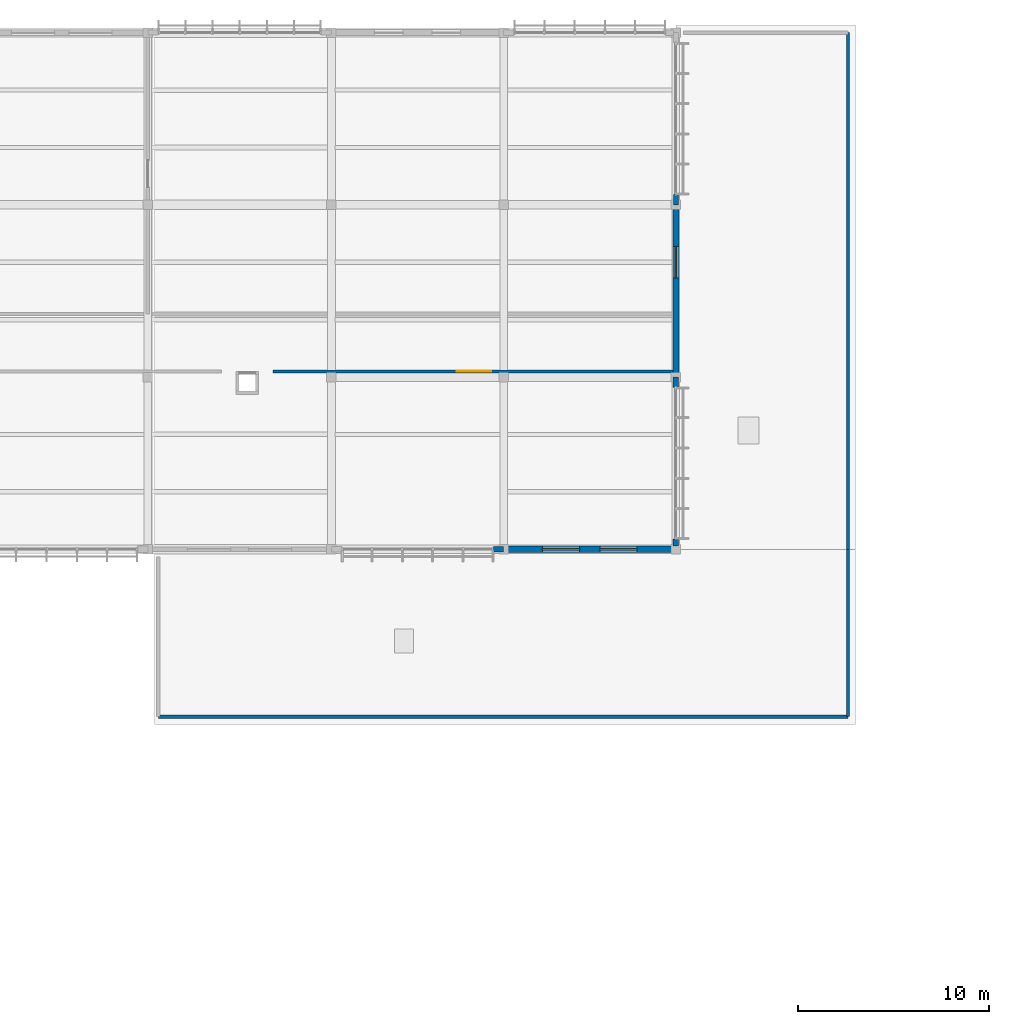
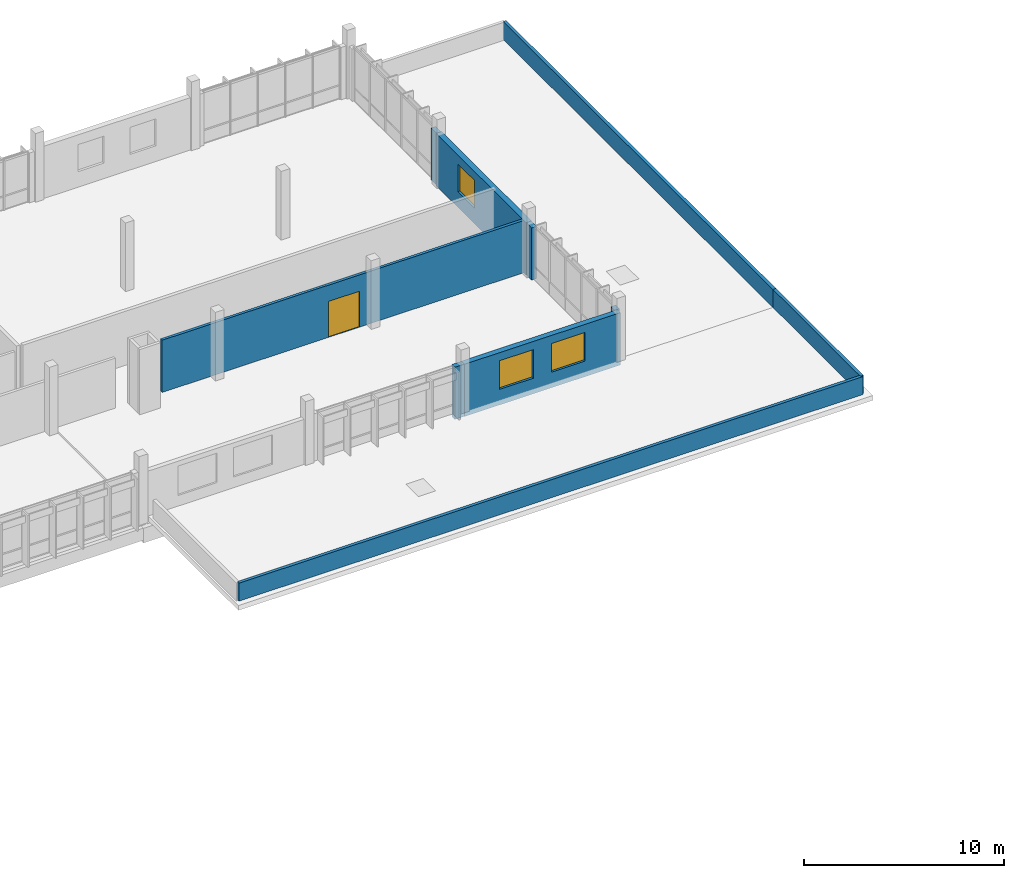
# One storey, part 98 of 107: 10 walls, 3 windows, 1 door, 4 openings.
"""IFC4 building model written with IfcOpenShell, lengths in metres."""

from ifc_helpers import new_model, si_unit, direction, frame, frame_2d, origin, place, context, subcontext, project, spatial, rectangle, extrude, material, layer, layer_set, type_object, element, fill, save


model = new_model("IFC4")

# Units and contexts
model_context = context("Model", 3, precision=1e-05, world=origin(), true_north=direction((0.0, 1.0)))
body_context = subcontext(model_context, "Body", "Model", "MODEL_VIEW")
ifc_project = project(units=[si_unit("LENGTHUNIT", "METRE"), si_unit("AREAUNIT", "SQUARE_METRE"), si_unit("VOLUMEUNIT", "CUBIC_METRE"), si_unit("PLANEANGLEUNIT", "RADIAN"), si_unit("MASSUNIT", "GRAM", prefix="KILO")], contexts=[model_context])

# Site, building, storey
site_placement = place(None, origin())
site = spatial("IfcSite", under=ifc_project, at=site_placement, CompositionType="ELEMENT")
building_placement = place(site_placement, origin())
building = spatial("IfcBuilding", under=site, at=building_placement, Name="Chiffa Square Polytechnic", CompositionType="ELEMENT")
storey_placement = place(building_placement, frame((0.0, 0.0, 13.800048828125)))
storey = spatial("IfcBuildingStorey", under=building, at=storey_placement, Name="L03", CompositionType="ELEMENT", Elevation=13.800048828125)

# Walls
ifc_material_1 = material(Name="Precast concrete C40/50", Category="concrete")
ifc_layer_1 = layer(ifc_material_1, 0.260009765625, Name="Precast concrete C40/50")
ifc_layer_set_1 = layer_set([ifc_layer_1], Name="Precast concrete C40/50")
wall_type_1 = type_object("IfcWallType", Name="WL-EXT-PC260", PredefinedType="SOLIDWALL", material=ifc_layer_set_1)
wall_1_placement = place(storey_placement, frame((139.199951171875, 121.800048828125, 0.0), z_axis=(0.0, 0.0, 1.0), x_axis=(0.0, 1.0, 0.0)))
element("IfcWall", 1, at=wall_1_placement, inside=storey, type_object=wall_type_1, Name="Facade column pier V5-L03-0342L", PredefinedType="SOLIDWALL", context=body_context, shape_type="SweptSolid", body=[
    extrude(rectangle(XDim=0.5400390625, YDim=0.260009765625, at=frame_2d((0.27001953125, 0.0))), origin(), (0.0, 0.0, 1.0), 3.195068359375),
])
ifc_layer_2 = layer(ifc_material_1, 0.280029296875, Name="Precast concrete C40/50")
ifc_layer_set_2 = layer_set([ifc_layer_2], Name="Precast concrete C40/50")
wall_type_2 = type_object("IfcWallType", Name="WL-EXT-PC280", PredefinedType="SOLIDWALL", material=ifc_layer_set_2)
wall_2_placement = place(storey_placement, frame((129.659912109375, 103.800048828125, 0.0), z_axis=(0.0, 0.0, 1.0), x_axis=(1.0, 0.0, 0.0)))
element("IfcWall", 2, at=wall_2_placement, inside=storey, type_object=wall_type_2, Name="Facade column pier V5-L03-0338R", PredefinedType="SOLIDWALL", context=body_context, shape_type="SweptSolid", body=[
    extrude(rectangle(XDim=0.5400390625, YDim=0.280029296875, at=frame_2d((0.27001953125, 0.0))), origin(), (0.0, 0.0, 1.0), 3.195068359375),
])
wall_3_placement = place(storey_placement, frame((139.199951171875, 103.9619140625, 0.0), z_axis=(0.0, 0.0, 1.0), x_axis=(0.0, 1.0, 0.0)))
element("IfcWall", 3, at=wall_3_placement, inside=storey, type_object=wall_type_2, Name="Facade column pier V5-L03-0340L", PredefinedType="SOLIDWALL", context=body_context, shape_type="SweptSolid", body=[
    extrude(rectangle(XDim=0.378173828125, YDim=0.280029296875, at=frame_2d((0.18896484375, 0.0))), origin(), (0.0, 0.0, 1.0), 3.195068359375),
])
wall_4_placement = place(storey_placement, frame((139.199951171875, 112.260009765625, 0.0), z_axis=(0.0, 0.0, 1.0), x_axis=(0.0, 1.0, 0.0)))
element("IfcWall", 4, at=wall_4_placement, inside=storey, type_object=wall_type_2, Name="Facade column pier V5-L03-0340R", PredefinedType="SOLIDWALL", context=body_context, shape_type="SweptSolid", body=[
    extrude(rectangle(XDim=0.5400390625, YDim=0.280029296875, at=frame_2d((0.27001953125, 0.0))), origin(), (0.0, 0.0, 1.0), 3.195068359375),
])

# Wall, openings, windows
ifc_layer_3 = layer(ifc_material_1, 0.320068359375, Name="Precast concrete C40/50")
ifc_layer_set_3 = layer_set([ifc_layer_3], Name="Precast concrete C40/50")
wall_type_3 = type_object("IfcWallType", Name="WL-EXT-PC320", PredefinedType="SOLIDWALL", material=ifc_layer_set_3)
wall_5_placement = place(storey_placement, frame((130.199951171875, 103.800048828125, 0.0), z_axis=(0.0, 0.0, 1.0), x_axis=(1.0, 0.0, 0.0)))
wall_5 = element("IfcWall", 5, at=wall_5_placement, inside=storey, type_object=wall_type_3, Name="Exterior wall WE-V5-L03-0339", PredefinedType="SOLIDWALL", context=body_context, shape_type="SweptSolid", body=[
    extrude(rectangle(XDim=9.0, YDim=0.320068359375, at=frame_2d((4.5, 0.0))), origin(), (0.0, 0.0, 1.0), 3.195068359375),
])
opening_1_placement = place(wall_5_placement, frame((2.02490234375, 0.0, 0.949951171875)))
opening_1 = element("IfcOpeningElement", 6, at=opening_1_placement, cuts=wall_5, Name="Opening W-04", PredefinedType="OPENING", context=body_context, shape_type="SweptSolid", body=[
    extrude(rectangle(XDim=1.949951171875, YDim=1.75, at=frame_2d((0.97509765625, 0.875))), frame((0.0, 0.169921875, 0.0), z_axis=(0.0, -1.0, 0.0), x_axis=(1.0, 0.0, 0.0)), (0.0, 0.0, 1.0), 0.340087890625),
])
opening_2_placement = place(wall_5_placement, frame((5.02490234375, 0.0, 0.949951171875)))
opening_2 = element("IfcOpeningElement", 7, at=opening_2_placement, cuts=wall_5, Name="Opening W-04", PredefinedType="OPENING", context=body_context, shape_type="SweptSolid", body=[
    extrude(rectangle(XDim=1.949951171875, YDim=1.75, at=frame_2d((0.97509765625, 0.875))), frame((0.0, 0.169921875, 0.0), z_axis=(0.0, -1.0, 0.0), x_axis=(1.0, 0.0, 0.0)), (0.0, 0.0, 1.0), 0.340087890625),
])
ifc_material_2 = material(Name="Double glazing in thermally broken aluminium frame", Category="aluminium")
window_type_1 = type_object("IfcWindowType", Name="WIN-LAB-1950X1750", PartitioningType="DOUBLE_PANEL_VERTICAL", PredefinedType="WINDOW", material=ifc_material_2)
window_1_placement = place(opening_1_placement, origin())
window_1 = element("IfcWindow", 8, at=window_1_placement, inside=storey, type_object=window_type_1, Name="Facade window WN-L03-0234", OverallHeight=1.75, OverallWidth=1.949951171875, PartitioningType="DOUBLE_PANEL_VERTICAL", PredefinedType="WINDOW", context=body_context, shape_type="SweptSolid", body=[
    extrude(rectangle(XDim=1.949951171875, YDim=1.75, at=frame_2d((0.97509765625, 0.875))), frame((0.0, 0.030029296875, 0.0), z_axis=(0.0, -1.0, 0.0), x_axis=(1.0, 0.0, 0.0)), (0.0, 0.0, 1.0), 0.06005859375),
])
fill(opening_1, window_1)
window_2_placement = place(opening_2_placement, origin())
window_2 = element("IfcWindow", 9, at=window_2_placement, inside=storey, type_object=window_type_1, Name="Facade window WN-L03-0235", OverallHeight=1.75, OverallWidth=1.949951171875, PartitioningType="DOUBLE_PANEL_VERTICAL", PredefinedType="WINDOW", context=body_context, shape_type="SweptSolid", body=[
    extrude(rectangle(XDim=1.949951171875, YDim=1.75, at=frame_2d((0.97509765625, 0.875))), frame((0.0, 0.030029296875, 0.0), z_axis=(0.0, -1.0, 0.0), x_axis=(1.0, 0.0, 0.0)), (0.0, 0.0, 1.0), 0.06005859375),
])
fill(opening_2, window_2)

# Wall, opening, window
wall_6_placement = place(storey_placement, frame((139.199951171875, 112.800048828125, 0.0), z_axis=(0.0, 0.0, 1.0), x_axis=(0.0, 1.0, 0.0)))
wall_6 = element("IfcWall", 10, at=wall_6_placement, inside=storey, type_object=wall_type_3, Name="Exterior wall WE-V5-L03-0341", PredefinedType="SOLIDWALL", context=body_context, shape_type="SweptSolid", body=[
    extrude(rectangle(XDim=9.0, YDim=0.320068359375, at=frame_2d((4.5, 0.0))), origin(), (0.0, 0.0, 1.0), 3.195068359375),
])
opening_3_placement = place(wall_6_placement, frame((5.175048828125, 0.0, 0.949951171875)))
opening_3 = element("IfcOpeningElement", 11, at=opening_3_placement, cuts=wall_6, Name="Opening W-06", PredefinedType="OPENING", context=body_context, shape_type="SweptSolid", body=[
    extrude(rectangle(XDim=1.64990234375, YDim=1.699951171875, at=frame_2d((0.824951171875, 0.85009765625))), frame((0.0, 0.169921875, 0.0), z_axis=(0.0, -1.0, 0.0), x_axis=(1.0, 0.0, 0.0)), (0.0, 0.0, 1.0), 0.340087890625),
])
window_type_2 = type_object("IfcWindowType", Name="WIN-LAB-1650X1700", PartitioningType="DOUBLE_PANEL_VERTICAL", PredefinedType="WINDOW", material=ifc_material_2)
window_3_placement = place(opening_3_placement, origin())
window_3 = element("IfcWindow", 12, at=window_3_placement, inside=storey, type_object=window_type_2, Name="Facade window WN-L03-0236", OverallHeight=1.699951171875, OverallWidth=1.64990234375, PartitioningType="DOUBLE_PANEL_VERTICAL", PredefinedType="WINDOW", context=body_context, shape_type="SweptSolid", body=[
    extrude(rectangle(XDim=1.64990234375, YDim=1.699951171875, at=frame_2d((0.824951171875, 0.85009765625))), frame((0.0, 0.030029296875, 0.0), z_axis=(0.0, -1.0, 0.0), x_axis=(1.0, 0.0, 0.0)), (0.0, 0.0, 1.0), 0.06005859375),
])
fill(opening_3, window_3)

# Walls
ifc_layer_4 = layer(ifc_material_1, 0.179931640625, Name="Precast concrete C40/50")
ifc_layer_set_4 = layer_set([ifc_layer_4], Name="Precast concrete C40/50")
wall_type_4 = type_object("IfcWallType", Name="WL-PAR-180", PredefinedType="PARAPET", material=ifc_layer_set_4)
wall_7_placement = place(storey_placement, frame((112.14990234375, 95.050048828125, 0.300048828125), z_axis=(0.0, 0.0, 1.0), x_axis=(1.0, 0.0, 0.0)))
element("IfcWall", 13, at=wall_7_placement, inside=storey, type_object=wall_type_4, Name="Roof parapet PRP-V5-SE-2", PredefinedType="PARAPET", context=body_context, shape_type="SweptSolid", body=[
    extrude(rectangle(XDim=36.050048828125, YDim=0.179931640625, at=frame_2d((18.02490234375, 0.0))), origin(), (0.0, 0.0, 1.0), 1.099853515625),
])
wall_8_placement = place(storey_placement, frame((148.199951171875, 95.050048828125, 0.300048828125), z_axis=(0.0, 0.0, 1.0), x_axis=(0.0, 1.0, 0.0)))
element("IfcWall", 14, at=wall_8_placement, inside=storey, type_object=wall_type_4, Name="Roof parapet PRP-V5-SE-3", PredefinedType="PARAPET", context=body_context, shape_type="SweptSolid", body=[
    extrude(rectangle(XDim=8.75, YDim=0.179931640625, at=frame_2d((4.375, 0.0))), origin(), (0.0, 0.0, 1.0), 1.099853515625),
])
wall_9_placement = place(storey_placement, frame((148.199951171875, 103.800048828125, 0.300048828125), z_axis=(0.0, 0.0, 1.0), x_axis=(0.0, 1.0, 0.0)))
element("IfcWall", 15, at=wall_9_placement, inside=storey, type_object=wall_type_4, Name="Roof parapet PRP-V5-E-1", PredefinedType="PARAPET", context=body_context, shape_type="SweptSolid", body=[
    extrude(rectangle(XDim=27.0, YDim=0.179931640625, at=frame_2d((13.5, 0.0))), origin(), (0.0, 0.0, 1.0), 1.099853515625),
])

# Wall, opening, door
ifc_material_3 = material(Name="Gypsum board on acoustic steel stud", Category="steel")
ifc_layer_5 = layer(ifc_material_3, 0.159912109375, Name="Gypsum board on acoustic steel stud")
ifc_layer_set_5 = layer_set([ifc_layer_5], Name="Gypsum board on acoustic steel stud")
wall_type_5 = type_object("IfcWallType", Name="WL-PART-EI60-160", PredefinedType="PARTITIONING", material=ifc_layer_set_5)
wall_10_placement = place(storey_placement, frame((118.14599609375, 113.10009765625, 0.0), z_axis=(0.0, 0.0, 1.0), x_axis=(1.0, 0.0, 0.0)))
wall_10 = element("IfcWall", 16, at=wall_10_placement, inside=storey, type_object=wall_type_5, Name="Interior partition WP-V5-L03-0563", PredefinedType="PARTITIONING", context=body_context, shape_type="SweptSolid", body=[
    extrude(rectangle(XDim=20.9990234375, YDim=0.159912109375, at=frame_2d((10.49951171875, 0.0))), origin(), (0.0, 0.0, 1.0), 3.195068359375),
])
opening_4_placement = place(wall_10_placement, frame((9.60009765625, 0.0, 0.0)))
opening_4 = element("IfcOpeningElement", 17, at=opening_4_placement, cuts=wall_10, Name="Opening DI-L03-207", PredefinedType="OPENING", context=body_context, shape_type="SweptSolid", body=[
    extrude(rectangle(XDim=1.800048828125, YDim=2.199951171875, at=frame_2d((0.89990234375, 1.10009765625))), frame((0.0, 0.08984375, 0.0), z_axis=(0.0, -1.0, 0.0), x_axis=(1.0, 0.0, 0.0)), (0.0, 0.0, 1.0), 0.179931640625),
])
ifc_material_4 = material(Name="Solid oak fire door pair")
door_type = type_object("IfcDoorType", Name="DR-CORR-DBL-1800", OperationType="DOUBLE_DOOR_SINGLE_SWING", PredefinedType="DOOR", material=ifc_material_4)
door_placement = place(opening_4_placement, origin())
door = element("IfcDoor", 18, at=door_placement, inside=storey, type_object=door_type, Name="Interior room door DI-L03-207", OperationType="DOUBLE_DOOR_SINGLE_SWING", OverallHeight=2.199951171875, OverallWidth=1.800048828125, PredefinedType="DOOR", context=body_context, shape_type="SweptSolid", body=[
    extrude(rectangle(XDim=1.800048828125, YDim=2.199951171875, at=frame_2d((0.89990234375, 1.10009765625))), frame((0.0, 0.02490234375, 0.0), z_axis=(0.0, -1.0, 0.0), x_axis=(1.0, 0.0, 0.0)), (0.0, 0.0, 1.0), 0.050048828125),
])
fill(opening_4, door)

save(model, "model.ifc")
